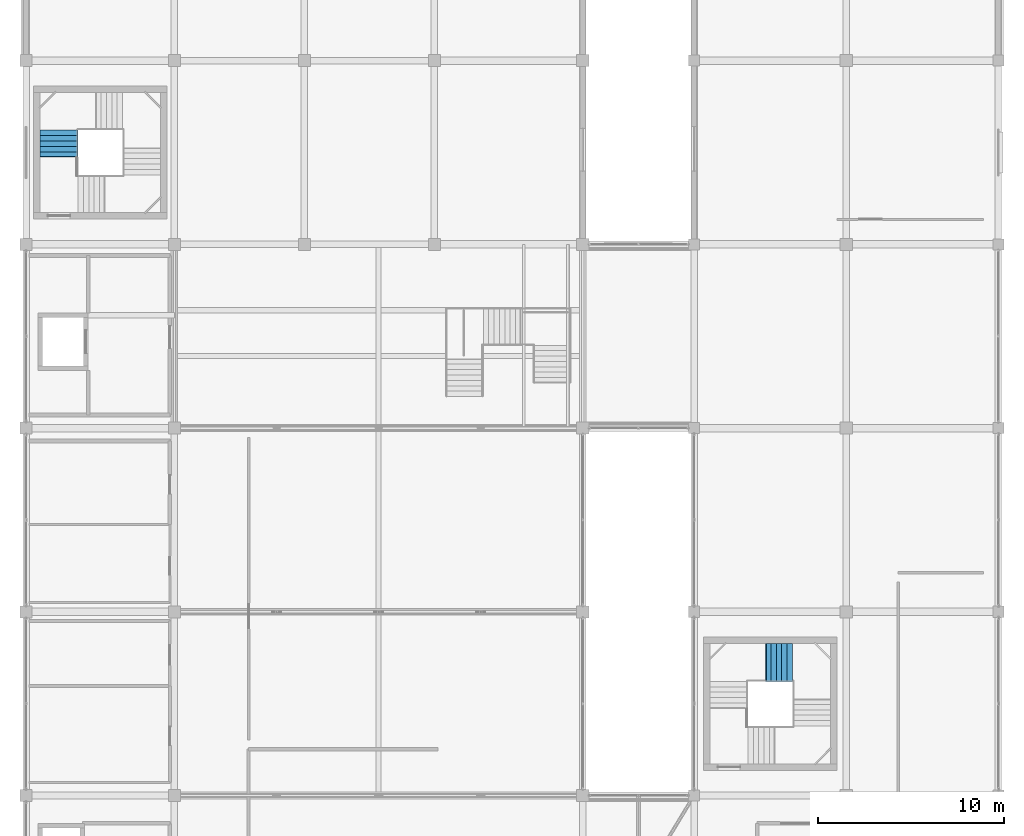
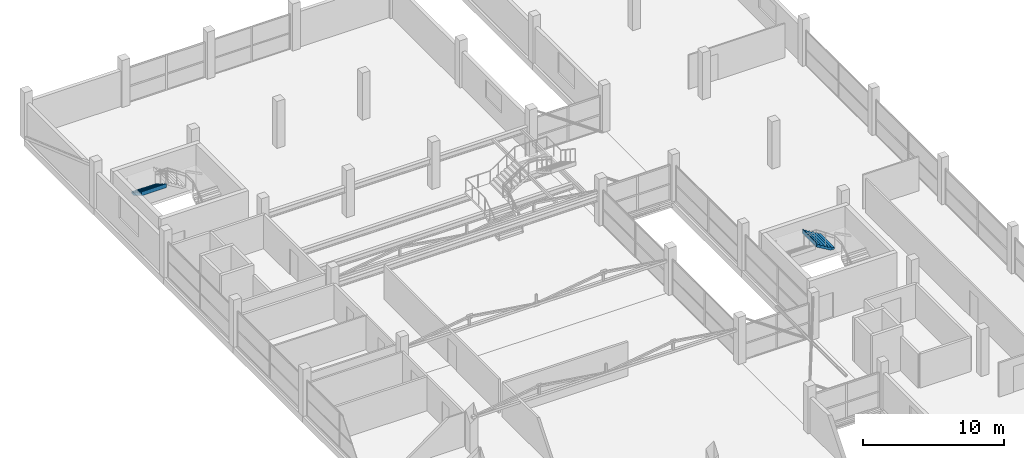
# One storey, part 67 of 70: 2 stair flights, 2 elements without a shape of their own.
"""IFC4 building model written with IfcOpenShell, lengths in metres."""

from ifc_helpers import new_model, si_unit, direction, frame, origin, place, context, subcontext, project, spatial, triangles, material, type_object, element, aggregate, save


model = new_model("IFC4")

# Units and contexts
model_context = context("Model", 3, precision=1e-05, world=origin(), true_north=direction((0.0, 1.0)))
body_context = subcontext(model_context, "Body", "Model", "MODEL_VIEW")
ifc_project = project(units=[si_unit("LENGTHUNIT", "METRE"), si_unit("AREAUNIT", "SQUARE_METRE"), si_unit("VOLUMEUNIT", "CUBIC_METRE"), si_unit("PLANEANGLEUNIT", "RADIAN"), si_unit("MASSUNIT", "GRAM", prefix="KILO")], contexts=[model_context])

# Site, building, storey
site_placement = place(None, origin())
site = spatial("IfcSite", under=ifc_project, at=site_placement, CompositionType="ELEMENT")
building_placement = place(site_placement, origin())
building = spatial("IfcBuilding", under=site, at=building_placement, Name="Sillaruma Civic Art Gallery", CompositionType="ELEMENT")
storey_placement = place(building_placement, frame((0.0, 0.0, 66.300048828125)))
storey = spatial("IfcBuildingStorey", under=building, at=storey_placement, Name="L13", CompositionType="ELEMENT", Elevation=66.300048828125)

# Stair, stair flight
ifc_material = material(Name="Concrete H35 (35 MPa)", Category="concrete")
stair_type = type_object("IfcStairType", Name="STR-4F-24", PredefinedType="USERDEFINED", material=ifc_material)
stair_1_placement = place(storey_placement, origin())
stair_1 = element("IfcStair", 1, at=stair_1_placement, inside=storey, type_object=stair_type, Name="Protected Exit Stair ST-02 (West Bar North) (L13)", ObjectType="THREE_RETURN_STAIR", PredefinedType="USERDEFINED")
stair_flight_type = type_object("IfcStairFlightType", Name="SFL-STR-6", PredefinedType="STRAIGHT", material=ifc_material)
stair_flight_1_placement = place(storey_placement, frame((63.780029296875, 85.35009765625, 3.06005859375), z_axis=(0.0, 0.0, 1.0), x_axis=(0.0, -1.0, 0.0)))
stair_flight_1 = element("IfcStairFlight", 2, at=stair_flight_1_placement, type_object=stair_flight_type, Name="ST-02 flight 4", NumberOfRisers=6, NumberOfTreads=5, PredefinedType="STRAIGHT", RiserHeight=0.17, TreadLength=0.29, context=body_context, shape_type="Tessellation", body=[
    triangles([(0.0, -1.02001953125, 0.0), (0.29, -1.02001953125, 0.0), (0.296365, -1.02001953125, 0.0), (0.58, -1.02001953125, 0.166269), (0.87, -1.02001953125, 0.336269), (1.16, -1.02001953125, 0.506269), (1.409951, -1.02001953125, 0.652792), (1.449951, -1.02001953125, 0.67624), (1.449951, -1.02001953125, 1.02), (1.409951, -1.02001953125, 1.02), (1.409951, -1.02001953125, 0.85), (1.16, -1.02001953125, 0.85), (1.16, -1.02001953125, 0.68), (0.87, -1.02001953125, 0.68), (0.87, -1.02001953125, 0.51), (0.58, -1.02001953125, 0.51), (0.58, -1.02001953125, 0.34), (0.296365, -1.02001953125, 0.34), (0.29, -1.02001953125, 0.34), (0.29, -1.02001953125, 0.17), (0.0, -1.02001953125, 0.17), (0.0, -0.05, 0.0), (0.29, -0.05, 0.0), (0.296365, -0.05, 0.0), (0.58, -0.05, 0.166269), (0.87, -0.05, 0.336269), (1.16, -0.05, 0.506269), (1.409951, -0.05, 0.652792), (1.449951, -0.05, 0.67624), (1.449951, -0.05, 1.02), (1.409951, -0.05, 1.02), (1.409951, -0.05, 0.85), (1.16, -0.05, 0.85), (1.16, -0.05, 0.68), (0.87, -0.05, 0.68), (0.87, -0.05, 0.51), (0.58, -0.05, 0.51), (0.58, -0.05, 0.34), (0.296365, -0.05, 0.34), (0.29, -0.05, 0.34), (0.29, -0.05, 0.17), (0.0, -0.05, 0.17), (0.0, -0.0375, 0.0), (0.29, -0.0375, 0.0), (0.296365, -0.0375, 0.0), (0.58, -0.0375, 0.166269), (0.87, -0.0375, 0.336269), (1.16, -0.0375, 0.506269), (1.409951, -0.0375, 0.652792), (1.449951, -0.0375, 0.67624), (1.449951, -0.0375, 1.02), (1.409951, -0.0375, 1.02), (1.409951, -0.0375, 0.85), (1.16, -0.0375, 0.85), (1.16, -0.0375, 0.68), (0.87, -0.0375, 0.68), (0.87, -0.0375, 0.51), (0.58, -0.0375, 0.51), (0.58, -0.0375, 0.34), (0.296365, -0.0375, 0.34), (0.29, -0.0375, 0.34), (0.29, -0.0375, 0.17), (0.0, -0.0375, 0.17), (0.0, -0.025, 0.0), (0.29, -0.025, 0.0), (0.296365, -0.025, 0.0), (0.58, -0.025, 0.166269), (0.87, -0.025, 0.336269), (1.16, -0.025, 0.506269), (1.409951, -0.025, 0.652792), (1.449951, -0.025, 0.67624), (1.449951, -0.025, 1.02), (1.409951, -0.025, 1.02), (1.409951, -0.025, 0.85), (1.16, -0.025, 0.85), (1.16, -0.025, 0.68), (0.87, -0.025, 0.68), (0.87, -0.025, 0.51), (0.58, -0.025, 0.51), (0.58, -0.025, 0.34), (0.296365, -0.025, 0.34), (0.29, -0.025, 0.34), (0.29, -0.025, 0.17), (0.0, -0.025, 0.17), (0.0, -0.0125, 0.0), (0.29, -0.0125, 0.0), (0.296365, -0.0125, 0.0), (0.58, -0.0125, 0.166269), (0.87, -0.0125, 0.336269), (1.16, -0.0125, 0.506269), (1.409951, -0.0125, 0.652792), (1.449951, -0.0125, 0.67624), (1.449951, -0.0125, 1.02), (1.409951, -0.0125, 1.02), (1.409951, -0.0125, 0.85), (1.16, -0.0125, 0.85), (1.16, -0.0125, 0.68), (0.87, -0.0125, 0.68), (0.87, -0.0125, 0.51), (0.58, -0.0125, 0.51), (0.58, -0.0125, 0.34), (0.296365, -0.0125, 0.34), (0.29, -0.0125, 0.34), (0.29, -0.0125, 0.17), (0.0, -0.0125, 0.17), (0.0, 0.0, 0.0), (0.29, 0.0, 0.0), (0.296365, 0.0, 0.0), (0.58, 0.0, 0.166269), (0.87, 0.0, 0.336269), (1.16, 0.0, 0.506269), (1.409951, 0.0, 0.652792), (1.449951, 0.0, 0.67624), (1.449951, 0.0, 1.02), (1.409951, 0.0, 1.02), (1.409951, 0.0, 0.85), (1.16, 0.0, 0.85), (1.16, 0.0, 0.68), (0.87, 0.0, 0.68), (0.87, 0.0, 0.51), (0.58, 0.0, 0.51), (0.58, 0.0, 0.34), (0.296365, 0.0, 0.34), (0.29, 0.0, 0.34), (0.29, 0.0, 0.17), (0.0, 0.0, 0.17), (0.0, 0.0125, 0.0), (0.29, 0.0125, 0.0), (0.296365, 0.0125, 0.0), (0.58, 0.0125, 0.166269), (0.87, 0.0125, 0.336269), (1.16, 0.0125, 0.506269), (1.409951, 0.0125, 0.652792), (1.449951, 0.0125, 0.67624), (1.449951, 0.0125, 1.02), (1.409951, 0.0125, 1.02), (1.409951, 0.0125, 0.85), (1.16, 0.0125, 0.85), (1.16, 0.0125, 0.68), (0.87, 0.0125, 0.68), (0.87, 0.0125, 0.51), (0.58, 0.0125, 0.51), (0.58, 0.0125, 0.34), (0.296365, 0.0125, 0.34), (0.29, 0.0125, 0.34), (0.29, 0.0125, 0.17), (0.0, 0.0125, 0.17), (0.0, 0.025, 0.0), (0.29, 0.025, 0.0), (0.296365, 0.025, 0.0), (0.58, 0.025, 0.166269), (0.87, 0.025, 0.336269), (1.16, 0.025, 0.506269), (1.409951, 0.025, 0.652792), (1.449951, 0.025, 0.67624), (1.449951, 0.025, 1.02), (1.409951, 0.025, 1.02), (1.409951, 0.025, 0.85), (1.16, 0.025, 0.85), (1.16, 0.025, 0.68), (0.87, 0.025, 0.68), (0.87, 0.025, 0.51), (0.58, 0.025, 0.51), (0.58, 0.025, 0.34), (0.296365, 0.025, 0.34), (0.29, 0.025, 0.34), (0.29, 0.025, 0.17), (0.0, 0.025, 0.17), (0.0, 0.0375, 0.0), (0.29, 0.0375, 0.0), (0.296365, 0.0375, 0.0), (0.58, 0.0375, 0.166269), (0.87, 0.0375, 0.336269), (1.16, 0.0375, 0.506269), (1.409951, 0.0375, 0.652792), (1.449951, 0.0375, 0.67624), (1.449951, 0.0375, 1.02), (1.409951, 0.0375, 1.02), (1.409951, 0.0375, 0.85), (1.16, 0.0375, 0.85), (1.16, 0.0375, 0.68), (0.87, 0.0375, 0.68), (0.87, 0.0375, 0.51), (0.58, 0.0375, 0.51), (0.58, 0.0375, 0.34), (0.296365, 0.0375, 0.34), (0.29, 0.0375, 0.34), (0.29, 0.0375, 0.17), (0.0, 0.0375, 0.17), (0.0, 0.05, 0.0), (0.29, 0.05, 0.0), (0.296365, 0.05, 0.0), (0.58, 0.05, 0.166269), (0.87, 0.05, 0.336269), (1.16, 0.05, 0.506269), (1.409951, 0.05, 0.652792), (1.449951, 0.05, 0.67624), (1.449951, 0.05, 1.02), (1.409951, 0.05, 1.02), (1.409951, 0.05, 0.85), (1.16, 0.05, 0.85), (1.16, 0.05, 0.68), (0.87, 0.05, 0.68), (0.87, 0.05, 0.51), (0.58, 0.05, 0.51), (0.58, 0.05, 0.34), (0.296365, 0.05, 0.34), (0.29, 0.05, 0.34), (0.29, 0.05, 0.17), (0.0, 0.05, 0.17), (0.0, 1.02001953125, 0.0), (0.29, 1.02001953125, 0.0), (0.296365, 1.02001953125, 0.0), (0.58, 1.02001953125, 0.166269), (0.87, 1.02001953125, 0.336269), (1.16, 1.02001953125, 0.506269), (1.409951, 1.02001953125, 0.652792), (1.449951, 1.02001953125, 0.67624), (1.449951, 1.02001953125, 1.02), (1.409951, 1.02001953125, 1.02), (1.409951, 1.02001953125, 0.85), (1.16, 1.02001953125, 0.85), (1.16, 1.02001953125, 0.68), (0.87, 1.02001953125, 0.68), (0.87, 1.02001953125, 0.51), (0.58, 1.02001953125, 0.51), (0.58, 1.02001953125, 0.34), (0.296365, 1.02001953125, 0.34), (0.29, 1.02001953125, 0.34), (0.29, 1.02001953125, 0.17), (0.0, 1.02001953125, 0.17)], [[1, 2, 20], [1, 20, 21], [2, 3, 18], [2, 18, 20], [20, 18, 19], [3, 4, 17], [3, 17, 18], [4, 5, 15], [4, 15, 17], [17, 15, 16], [5, 6, 13], [5, 13, 15], [15, 13, 14], [6, 7, 11], [6, 11, 13], [13, 11, 12], [7, 8, 9], [7, 9, 11], [11, 9, 10], [230, 212, 211], [231, 230, 211], [228, 213, 212], [230, 228, 212], [229, 228, 230], [227, 214, 213], [228, 227, 213], [225, 215, 214], [227, 225, 214], [226, 225, 227], [223, 216, 215], [225, 223, 215], [224, 223, 225], [221, 217, 216], [223, 221, 216], [222, 221, 223], [219, 218, 217], [221, 219, 217], [220, 219, 221], [2, 1, 22], [2, 22, 23], [3, 2, 23], [3, 23, 24], [4, 3, 24], [4, 24, 25], [5, 4, 25], [5, 25, 26], [6, 5, 26], [6, 26, 27], [7, 6, 27], [7, 27, 28], [8, 7, 28], [8, 28, 29], [9, 8, 29], [9, 29, 30], [10, 9, 30], [10, 30, 31], [11, 10, 31], [11, 31, 32], [12, 11, 32], [12, 32, 33], [13, 12, 33], [13, 33, 34], [14, 13, 34], [14, 34, 35], [15, 14, 35], [15, 35, 36], [16, 15, 36], [16, 36, 37], [17, 16, 37], [17, 37, 38], [18, 17, 38], [18, 38, 39], [19, 18, 39], [19, 39, 40], [20, 19, 40], [20, 40, 41], [21, 20, 41], [21, 41, 42], [1, 21, 42], [1, 42, 22], [23, 22, 43], [23, 43, 44], [24, 23, 44], [24, 44, 45], [25, 24, 45], [25, 45, 46], [26, 25, 46], [26, 46, 47], [27, 26, 47], [27, 47, 48], [28, 27, 48], [28, 48, 49], [29, 28, 49], [29, 49, 50], [30, 29, 50], [30, 50, 51], [31, 30, 51], [31, 51, 52], [32, 31, 52], [32, 52, 53], [33, 32, 53], [33, 53, 54], [34, 33, 54], [34, 54, 55], [35, 34, 55], [35, 55, 56], [36, 35, 56], [36, 56, 57], [37, 36, 57], [37, 57, 58], [38, 37, 58], [38, 58, 59], [39, 38, 59], [39, 59, 60], [40, 39, 60], [40, 60, 61], [41, 40, 61], [41, 61, 62], [42, 41, 62], [42, 62, 63], [22, 42, 63], [22, 63, 43], [44, 43, 64], [44, 64, 65], [45, 44, 65], [45, 65, 66], [46, 45, 66], [46, 66, 67], [47, 46, 67], [47, 67, 68], [48, 47, 68], [48, 68, 69], [49, 48, 69], [49, 69, 70], [50, 49, 70], [50, 70, 71], [51, 50, 71], [51, 71, 72], [52, 51, 72], [52, 72, 73], [53, 52, 73], [53, 73, 74], [54, 53, 74], [54, 74, 75], [55, 54, 75], [55, 75, 76], [56, 55, 76], [56, 76, 77], [57, 56, 77], [57, 77, 78], [58, 57, 78], [58, 78, 79], [59, 58, 79], [59, 79, 80], [60, 59, 80], [60, 80, 81], [61, 60, 81], [61, 81, 82], [62, 61, 82], [62, 82, 83], [63, 62, 83], [63, 83, 84], [43, 63, 84], [43, 84, 64], [65, 64, 85], [65, 85, 86], [66, 65, 86], [66, 86, 87], [67, 66, 87], [67, 87, 88], [68, 67, 88], [68, 88, 89], [69, 68, 89], [69, 89, 90], [70, 69, 90], [70, 90, 91], [71, 70, 91], [71, 91, 92], [72, 71, 92], [72, 92, 93], [73, 72, 93], [73, 93, 94], [74, 73, 94], [74, 94, 95], [75, 74, 95], [75, 95, 96], [76, 75, 96], [76, 96, 97], [77, 76, 97], [77, 97, 98], [78, 77, 98], [78, 98, 99], [79, 78, 99], [79, 99, 100], [80, 79, 100], [80, 100, 101], [81, 80, 101], [81, 101, 102], [82, 81, 102], [82, 102, 103], [83, 82, 103], [83, 103, 104], [84, 83, 104], [84, 104, 105], [64, 84, 105], [64, 105, 85], [86, 85, 106], [86, 106, 107], [87, 86, 107], [87, 107, 108], [88, 87, 108], [88, 108, 109], [89, 88, 109], [89, 109, 110], [90, 89, 110], [90, 110, 111], [91, 90, 111], [91, 111, 112], [92, 91, 112], [92, 112, 113], [93, 92, 113], [93, 113, 114], [94, 93, 114], [94, 114, 115], [95, 94, 115], [95, 115, 116], [96, 95, 116], [96, 116, 117], [97, 96, 117], [97, 117, 118], [98, 97, 118], [98, 118, 119], [99, 98, 119], [99, 119, 120], [100, 99, 120], [100, 120, 121], [101, 100, 121], [101, 121, 122], [102, 101, 122], [102, 122, 123], [103, 102, 123], [103, 123, 124], [104, 103, 124], [104, 124, 125], [105, 104, 125], [105, 125, 126], [85, 105, 126], [85, 126, 106], [107, 106, 127], [107, 127, 128], [108, 107, 128], [108, 128, 129], [109, 108, 129], [109, 129, 130], [110, 109, 130], [110, 130, 131], [111, 110, 131], [111, 131, 132], [112, 111, 132], [112, 132, 133], [113, 112, 133], [113, 133, 134], [114, 113, 134], [114, 134, 135], [115, 114, 135], [115, 135, 136], [116, 115, 136], [116, 136, 137], [117, 116, 137], [117, 137, 138], [118, 117, 138], [118, 138, 139], [119, 118, 139], [119, 139, 140], [120, 119, 140], [120, 140, 141], [121, 120, 141], [121, 141, 142], [122, 121, 142], [122, 142, 143], [123, 122, 143], [123, 143, 144], [124, 123, 144], [124, 144, 145], [125, 124, 145], [125, 145, 146], [126, 125, 146], [126, 146, 147], [106, 126, 147], [106, 147, 127], [128, 127, 148], [128, 148, 149], [129, 128, 149], [129, 149, 150], [130, 129, 150], [130, 150, 151], [131, 130, 151], [131, 151, 152], [132, 131, 152], [132, 152, 153], [133, 132, 153], [133, 153, 154], [134, 133, 154], [134, 154, 155], [135, 134, 155], [135, 155, 156], [136, 135, 156], [136, 156, 157], [137, 136, 157], [137, 157, 158], [138, 137, 158], [138, 158, 159], [139, 138, 159], [139, 159, 160], [140, 139, 160], [140, 160, 161], [141, 140, 161], [141, 161, 162], [142, 141, 162], [142, 162, 163], [143, 142, 163], [143, 163, 164], [144, 143, 164], [144, 164, 165], [145, 144, 165], [145, 165, 166], [146, 145, 166], [146, 166, 167], [147, 146, 167], [147, 167, 168], [127, 147, 168], [127, 168, 148], [149, 148, 169], [149, 169, 170], [150, 149, 170], [150, 170, 171], [151, 150, 171], [151, 171, 172], [152, 151, 172], [152, 172, 173], [153, 152, 173], [153, 173, 174], [154, 153, 174], [154, 174, 175], [155, 154, 175], [155, 175, 176], [156, 155, 176], [156, 176, 177], [157, 156, 177], [157, 177, 178], [158, 157, 178], [158, 178, 179], [159, 158, 179], [159, 179, 180], [160, 159, 180], [160, 180, 181], [161, 160, 181], [161, 181, 182], [162, 161, 182], [162, 182, 183], [163, 162, 183], [163, 183, 184], [164, 163, 184], [164, 184, 185], [165, 164, 185], [165, 185, 186], [166, 165, 186], [166, 186, 187], [167, 166, 187], [167, 187, 188], [168, 167, 188], [168, 188, 189], [148, 168, 189], [148, 189, 169], [170, 169, 190], [170, 190, 191], [171, 170, 191], [171, 191, 192], [172, 171, 192], [172, 192, 193], [173, 172, 193], [173, 193, 194], [174, 173, 194], [174, 194, 195], [175, 174, 195], [175, 195, 196], [176, 175, 196], [176, 196, 197], [177, 176, 197], [177, 197, 198], [178, 177, 198], [178, 198, 199], [179, 178, 199], [179, 199, 200], [180, 179, 200], [180, 200, 201], [181, 180, 201], [181, 201, 202], [182, 181, 202], [182, 202, 203], [183, 182, 203], [183, 203, 204], [184, 183, 204], [184, 204, 205], [185, 184, 205], [185, 205, 206], [186, 185, 206], [186, 206, 207], [187, 186, 207], [187, 207, 208], [188, 187, 208], [188, 208, 209], [189, 188, 209], [189, 209, 210], [169, 189, 210], [169, 210, 190], [191, 190, 211], [191, 211, 212], [192, 191, 212], [192, 212, 213], [193, 192, 213], [193, 213, 214], [194, 193, 214], [194, 214, 215], [195, 194, 215], [195, 215, 216], [196, 195, 216], [196, 216, 217], [197, 196, 217], [197, 217, 218], [198, 197, 218], [198, 218, 219], [199, 198, 219], [199, 219, 220], [200, 199, 220], [200, 220, 221], [201, 200, 221], [201, 221, 222], [202, 201, 222], [202, 222, 223], [203, 202, 223], [203, 223, 224], [204, 203, 224], [204, 224, 225], [205, 204, 225], [205, 225, 226], [206, 205, 226], [206, 226, 227], [207, 206, 227], [207, 227, 228], [208, 207, 228], [208, 228, 229], [209, 208, 229], [209, 229, 230], [210, 209, 230], [210, 230, 231], [190, 210, 231], [190, 231, 211]], closed=True),
])
aggregate(stair_1, [stair_flight_1])

stair_2_placement = place(storey_placement, origin())
stair_2 = element("IfcStair", 3, at=stair_2_placement, inside=storey, type_object=stair_type, Name="Protected Exit Stair ST-04 (East Bar) (L13)", ObjectType="THREE_RETURN_STAIR", PredefinedType="USERDEFINED")
stair_flight_2_placement = place(storey_placement, frame((103.300048828125, 56.669921875, 2.0400390625), z_axis=(0.0, 0.0, 1.0), x_axis=(-1.0, 0.0, 0.0)))
stair_flight_2 = element("IfcStairFlight", 4, at=stair_flight_2_placement, type_object=stair_flight_type, Name="ST-04 flight 3", NumberOfRisers=6, NumberOfTreads=5, PredefinedType="STRAIGHT", RiserHeight=0.17, TreadLength=0.29, context=body_context, shape_type="Tessellation", body=[
    triangles([(0.0, -1.02001953125, 0.0), (0.29, -1.02001953125, 0.0), (0.296365, -1.02001953125, 0.0), (0.58, -1.02001953125, 0.166269), (0.87, -1.02001953125, 0.336269), (1.16, -1.02001953125, 0.506269), (1.409951, -1.02001953125, 0.652792), (1.449951, -1.02001953125, 0.67624), (1.449951, -1.02001953125, 1.02), (1.409951, -1.02001953125, 1.02), (1.409951, -1.02001953125, 0.85), (1.16, -1.02001953125, 0.85), (1.16, -1.02001953125, 0.68), (0.87, -1.02001953125, 0.68), (0.87, -1.02001953125, 0.51), (0.58, -1.02001953125, 0.51), (0.58, -1.02001953125, 0.34), (0.296365, -1.02001953125, 0.34), (0.29, -1.02001953125, 0.34), (0.29, -1.02001953125, 0.17), (0.0, -1.02001953125, 0.17), (0.0, -0.05, 0.0), (0.29, -0.05, 0.0), (0.296365, -0.05, 0.0), (0.58, -0.05, 0.166269), (0.87, -0.05, 0.336269), (1.16, -0.05, 0.506269), (1.409951, -0.05, 0.652792), (1.449951, -0.05, 0.67624), (1.449951, -0.05, 1.02), (1.409951, -0.05, 1.02), (1.409951, -0.05, 0.85), (1.16, -0.05, 0.85), (1.16, -0.05, 0.68), (0.87, -0.05, 0.68), (0.87, -0.05, 0.51), (0.58, -0.05, 0.51), (0.58, -0.05, 0.34), (0.296365, -0.05, 0.34), (0.29, -0.05, 0.34), (0.29, -0.05, 0.17), (0.0, -0.05, 0.17), (0.0, -0.0375, 0.0), (0.29, -0.0375, 0.0), (0.296365, -0.0375, 0.0), (0.58, -0.0375, 0.166269), (0.87, -0.0375, 0.336269), (1.16, -0.0375, 0.506269), (1.409951, -0.0375, 0.652792), (1.449951, -0.0375, 0.67624), (1.449951, -0.0375, 1.02), (1.409951, -0.0375, 1.02), (1.409951, -0.0375, 0.85), (1.16, -0.0375, 0.85), (1.16, -0.0375, 0.68), (0.87, -0.0375, 0.68), (0.87, -0.0375, 0.51), (0.58, -0.0375, 0.51), (0.58, -0.0375, 0.34), (0.296365, -0.0375, 0.34), (0.29, -0.0375, 0.34), (0.29, -0.0375, 0.17), (0.0, -0.0375, 0.17), (0.0, -0.025, 0.0), (0.29, -0.025, 0.0), (0.296365, -0.025, 0.0), (0.58, -0.025, 0.166269), (0.87, -0.025, 0.336269), (1.16, -0.025, 0.506269), (1.409951, -0.025, 0.652792), (1.449951, -0.025, 0.67624), (1.449951, -0.025, 1.02), (1.409951, -0.025, 1.02), (1.409951, -0.025, 0.85), (1.16, -0.025, 0.85), (1.16, -0.025, 0.68), (0.87, -0.025, 0.68), (0.87, -0.025, 0.51), (0.58, -0.025, 0.51), (0.58, -0.025, 0.34), (0.296365, -0.025, 0.34), (0.29, -0.025, 0.34), (0.29, -0.025, 0.17), (0.0, -0.025, 0.17), (0.0, -0.0125, 0.0), (0.29, -0.0125, 0.0), (0.296365, -0.0125, 0.0), (0.58, -0.0125, 0.166269), (0.87, -0.0125, 0.336269), (1.16, -0.0125, 0.506269), (1.409951, -0.0125, 0.652792), (1.449951, -0.0125, 0.67624), (1.449951, -0.0125, 1.02), (1.409951, -0.0125, 1.02), (1.409951, -0.0125, 0.85), (1.16, -0.0125, 0.85), (1.16, -0.0125, 0.68), (0.87, -0.0125, 0.68), (0.87, -0.0125, 0.51), (0.58, -0.0125, 0.51), (0.58, -0.0125, 0.34), (0.296365, -0.0125, 0.34), (0.29, -0.0125, 0.34), (0.29, -0.0125, 0.17), (0.0, -0.0125, 0.17), (0.0, 0.0, 0.0), (0.29, 0.0, 0.0), (0.296365, 0.0, 0.0), (0.58, 0.0, 0.166269), (0.87, 0.0, 0.336269), (1.16, 0.0, 0.506269), (1.409951, 0.0, 0.652792), (1.449951, 0.0, 0.67624), (1.449951, 0.0, 1.02), (1.409951, 0.0, 1.02), (1.409951, 0.0, 0.85), (1.16, 0.0, 0.85), (1.16, 0.0, 0.68), (0.87, 0.0, 0.68), (0.87, 0.0, 0.51), (0.58, 0.0, 0.51), (0.58, 0.0, 0.34), (0.296365, 0.0, 0.34), (0.29, 0.0, 0.34), (0.29, 0.0, 0.17), (0.0, 0.0, 0.17), (0.0, 0.0125, 0.0), (0.29, 0.0125, 0.0), (0.296365, 0.0125, 0.0), (0.58, 0.0125, 0.166269), (0.87, 0.0125, 0.336269), (1.16, 0.0125, 0.506269), (1.409951, 0.0125, 0.652792), (1.449951, 0.0125, 0.67624), (1.449951, 0.0125, 1.02), (1.409951, 0.0125, 1.02), (1.409951, 0.0125, 0.85), (1.16, 0.0125, 0.85), (1.16, 0.0125, 0.68), (0.87, 0.0125, 0.68), (0.87, 0.0125, 0.51), (0.58, 0.0125, 0.51), (0.58, 0.0125, 0.34), (0.296365, 0.0125, 0.34), (0.29, 0.0125, 0.34), (0.29, 0.0125, 0.17), (0.0, 0.0125, 0.17), (0.0, 0.025, 0.0), (0.29, 0.025, 0.0), (0.296365, 0.025, 0.0), (0.58, 0.025, 0.166269), (0.87, 0.025, 0.336269), (1.16, 0.025, 0.506269), (1.409951, 0.025, 0.652792), (1.449951, 0.025, 0.67624), (1.449951, 0.025, 1.02), (1.409951, 0.025, 1.02), (1.409951, 0.025, 0.85), (1.16, 0.025, 0.85), (1.16, 0.025, 0.68), (0.87, 0.025, 0.68), (0.87, 0.025, 0.51), (0.58, 0.025, 0.51), (0.58, 0.025, 0.34), (0.296365, 0.025, 0.34), (0.29, 0.025, 0.34), (0.29, 0.025, 0.17), (0.0, 0.025, 0.17), (0.0, 0.0375, 0.0), (0.29, 0.0375, 0.0), (0.296365, 0.0375, 0.0), (0.58, 0.0375, 0.166269), (0.87, 0.0375, 0.336269), (1.16, 0.0375, 0.506269), (1.409951, 0.0375, 0.652792), (1.449951, 0.0375, 0.67624), (1.449951, 0.0375, 1.02), (1.409951, 0.0375, 1.02), (1.409951, 0.0375, 0.85), (1.16, 0.0375, 0.85), (1.16, 0.0375, 0.68), (0.87, 0.0375, 0.68), (0.87, 0.0375, 0.51), (0.58, 0.0375, 0.51), (0.58, 0.0375, 0.34), (0.296365, 0.0375, 0.34), (0.29, 0.0375, 0.34), (0.29, 0.0375, 0.17), (0.0, 0.0375, 0.17), (0.0, 0.05, 0.0), (0.29, 0.05, 0.0), (0.296365, 0.05, 0.0), (0.58, 0.05, 0.166269), (0.87, 0.05, 0.336269), (1.16, 0.05, 0.506269), (1.409951, 0.05, 0.652792), (1.449951, 0.05, 0.67624), (1.449951, 0.05, 1.02), (1.409951, 0.05, 1.02), (1.409951, 0.05, 0.85), (1.16, 0.05, 0.85), (1.16, 0.05, 0.68), (0.87, 0.05, 0.68), (0.87, 0.05, 0.51), (0.58, 0.05, 0.51), (0.58, 0.05, 0.34), (0.296365, 0.05, 0.34), (0.29, 0.05, 0.34), (0.29, 0.05, 0.17), (0.0, 0.05, 0.17), (0.0, 1.02001953125, 0.0), (0.29, 1.02001953125, 0.0), (0.296365, 1.02001953125, 0.0), (0.58, 1.02001953125, 0.166269), (0.87, 1.02001953125, 0.336269), (1.16, 1.02001953125, 0.506269), (1.409951, 1.02001953125, 0.652792), (1.449951, 1.02001953125, 0.67624), (1.449951, 1.02001953125, 1.02), (1.409951, 1.02001953125, 1.02), (1.409951, 1.02001953125, 0.85), (1.16, 1.02001953125, 0.85), (1.16, 1.02001953125, 0.68), (0.87, 1.02001953125, 0.68), (0.87, 1.02001953125, 0.51), (0.58, 1.02001953125, 0.51), (0.58, 1.02001953125, 0.34), (0.296365, 1.02001953125, 0.34), (0.29, 1.02001953125, 0.34), (0.29, 1.02001953125, 0.17), (0.0, 1.02001953125, 0.17)], [[1, 2, 20], [1, 20, 21], [2, 3, 18], [2, 18, 20], [20, 18, 19], [3, 4, 17], [3, 17, 18], [4, 5, 15], [4, 15, 17], [17, 15, 16], [5, 6, 13], [5, 13, 15], [15, 13, 14], [6, 7, 11], [6, 11, 13], [13, 11, 12], [7, 8, 9], [7, 9, 11], [11, 9, 10], [230, 212, 211], [231, 230, 211], [228, 213, 212], [230, 228, 212], [229, 228, 230], [227, 214, 213], [228, 227, 213], [225, 215, 214], [227, 225, 214], [226, 225, 227], [223, 216, 215], [225, 223, 215], [224, 223, 225], [221, 217, 216], [223, 221, 216], [222, 221, 223], [219, 218, 217], [221, 219, 217], [220, 219, 221], [2, 1, 22], [2, 22, 23], [3, 2, 23], [3, 23, 24], [4, 3, 24], [4, 24, 25], [5, 4, 25], [5, 25, 26], [6, 5, 26], [6, 26, 27], [7, 6, 27], [7, 27, 28], [8, 7, 28], [8, 28, 29], [9, 8, 29], [9, 29, 30], [10, 9, 30], [10, 30, 31], [11, 10, 31], [11, 31, 32], [12, 11, 32], [12, 32, 33], [13, 12, 33], [13, 33, 34], [14, 13, 34], [14, 34, 35], [15, 14, 35], [15, 35, 36], [16, 15, 36], [16, 36, 37], [17, 16, 37], [17, 37, 38], [18, 17, 38], [18, 38, 39], [19, 18, 39], [19, 39, 40], [20, 19, 40], [20, 40, 41], [21, 20, 41], [21, 41, 42], [1, 21, 42], [1, 42, 22], [23, 22, 43], [23, 43, 44], [24, 23, 44], [24, 44, 45], [25, 24, 45], [25, 45, 46], [26, 25, 46], [26, 46, 47], [27, 26, 47], [27, 47, 48], [28, 27, 48], [28, 48, 49], [29, 28, 49], [29, 49, 50], [30, 29, 50], [30, 50, 51], [31, 30, 51], [31, 51, 52], [32, 31, 52], [32, 52, 53], [33, 32, 53], [33, 53, 54], [34, 33, 54], [34, 54, 55], [35, 34, 55], [35, 55, 56], [36, 35, 56], [36, 56, 57], [37, 36, 57], [37, 57, 58], [38, 37, 58], [38, 58, 59], [39, 38, 59], [39, 59, 60], [40, 39, 60], [40, 60, 61], [41, 40, 61], [41, 61, 62], [42, 41, 62], [42, 62, 63], [22, 42, 63], [22, 63, 43], [44, 43, 64], [44, 64, 65], [45, 44, 65], [45, 65, 66], [46, 45, 66], [46, 66, 67], [47, 46, 67], [47, 67, 68], [48, 47, 68], [48, 68, 69], [49, 48, 69], [49, 69, 70], [50, 49, 70], [50, 70, 71], [51, 50, 71], [51, 71, 72], [52, 51, 72], [52, 72, 73], [53, 52, 73], [53, 73, 74], [54, 53, 74], [54, 74, 75], [55, 54, 75], [55, 75, 76], [56, 55, 76], [56, 76, 77], [57, 56, 77], [57, 77, 78], [58, 57, 78], [58, 78, 79], [59, 58, 79], [59, 79, 80], [60, 59, 80], [60, 80, 81], [61, 60, 81], [61, 81, 82], [62, 61, 82], [62, 82, 83], [63, 62, 83], [63, 83, 84], [43, 63, 84], [43, 84, 64], [65, 64, 85], [65, 85, 86], [66, 65, 86], [66, 86, 87], [67, 66, 87], [67, 87, 88], [68, 67, 88], [68, 88, 89], [69, 68, 89], [69, 89, 90], [70, 69, 90], [70, 90, 91], [71, 70, 91], [71, 91, 92], [72, 71, 92], [72, 92, 93], [73, 72, 93], [73, 93, 94], [74, 73, 94], [74, 94, 95], [75, 74, 95], [75, 95, 96], [76, 75, 96], [76, 96, 97], [77, 76, 97], [77, 97, 98], [78, 77, 98], [78, 98, 99], [79, 78, 99], [79, 99, 100], [80, 79, 100], [80, 100, 101], [81, 80, 101], [81, 101, 102], [82, 81, 102], [82, 102, 103], [83, 82, 103], [83, 103, 104], [84, 83, 104], [84, 104, 105], [64, 84, 105], [64, 105, 85], [86, 85, 106], [86, 106, 107], [87, 86, 107], [87, 107, 108], [88, 87, 108], [88, 108, 109], [89, 88, 109], [89, 109, 110], [90, 89, 110], [90, 110, 111], [91, 90, 111], [91, 111, 112], [92, 91, 112], [92, 112, 113], [93, 92, 113], [93, 113, 114], [94, 93, 114], [94, 114, 115], [95, 94, 115], [95, 115, 116], [96, 95, 116], [96, 116, 117], [97, 96, 117], [97, 117, 118], [98, 97, 118], [98, 118, 119], [99, 98, 119], [99, 119, 120], [100, 99, 120], [100, 120, 121], [101, 100, 121], [101, 121, 122], [102, 101, 122], [102, 122, 123], [103, 102, 123], [103, 123, 124], [104, 103, 124], [104, 124, 125], [105, 104, 125], [105, 125, 126], [85, 105, 126], [85, 126, 106], [107, 106, 127], [107, 127, 128], [108, 107, 128], [108, 128, 129], [109, 108, 129], [109, 129, 130], [110, 109, 130], [110, 130, 131], [111, 110, 131], [111, 131, 132], [112, 111, 132], [112, 132, 133], [113, 112, 133], [113, 133, 134], [114, 113, 134], [114, 134, 135], [115, 114, 135], [115, 135, 136], [116, 115, 136], [116, 136, 137], [117, 116, 137], [117, 137, 138], [118, 117, 138], [118, 138, 139], [119, 118, 139], [119, 139, 140], [120, 119, 140], [120, 140, 141], [121, 120, 141], [121, 141, 142], [122, 121, 142], [122, 142, 143], [123, 122, 143], [123, 143, 144], [124, 123, 144], [124, 144, 145], [125, 124, 145], [125, 145, 146], [126, 125, 146], [126, 146, 147], [106, 126, 147], [106, 147, 127], [128, 127, 148], [128, 148, 149], [129, 128, 149], [129, 149, 150], [130, 129, 150], [130, 150, 151], [131, 130, 151], [131, 151, 152], [132, 131, 152], [132, 152, 153], [133, 132, 153], [133, 153, 154], [134, 133, 154], [134, 154, 155], [135, 134, 155], [135, 155, 156], [136, 135, 156], [136, 156, 157], [137, 136, 157], [137, 157, 158], [138, 137, 158], [138, 158, 159], [139, 138, 159], [139, 159, 160], [140, 139, 160], [140, 160, 161], [141, 140, 161], [141, 161, 162], [142, 141, 162], [142, 162, 163], [143, 142, 163], [143, 163, 164], [144, 143, 164], [144, 164, 165], [145, 144, 165], [145, 165, 166], [146, 145, 166], [146, 166, 167], [147, 146, 167], [147, 167, 168], [127, 147, 168], [127, 168, 148], [149, 148, 169], [149, 169, 170], [150, 149, 170], [150, 170, 171], [151, 150, 171], [151, 171, 172], [152, 151, 172], [152, 172, 173], [153, 152, 173], [153, 173, 174], [154, 153, 174], [154, 174, 175], [155, 154, 175], [155, 175, 176], [156, 155, 176], [156, 176, 177], [157, 156, 177], [157, 177, 178], [158, 157, 178], [158, 178, 179], [159, 158, 179], [159, 179, 180], [160, 159, 180], [160, 180, 181], [161, 160, 181], [161, 181, 182], [162, 161, 182], [162, 182, 183], [163, 162, 183], [163, 183, 184], [164, 163, 184], [164, 184, 185], [165, 164, 185], [165, 185, 186], [166, 165, 186], [166, 186, 187], [167, 166, 187], [167, 187, 188], [168, 167, 188], [168, 188, 189], [148, 168, 189], [148, 189, 169], [170, 169, 190], [170, 190, 191], [171, 170, 191], [171, 191, 192], [172, 171, 192], [172, 192, 193], [173, 172, 193], [173, 193, 194], [174, 173, 194], [174, 194, 195], [175, 174, 195], [175, 195, 196], [176, 175, 196], [176, 196, 197], [177, 176, 197], [177, 197, 198], [178, 177, 198], [178, 198, 199], [179, 178, 199], [179, 199, 200], [180, 179, 200], [180, 200, 201], [181, 180, 201], [181, 201, 202], [182, 181, 202], [182, 202, 203], [183, 182, 203], [183, 203, 204], [184, 183, 204], [184, 204, 205], [185, 184, 205], [185, 205, 206], [186, 185, 206], [186, 206, 207], [187, 186, 207], [187, 207, 208], [188, 187, 208], [188, 208, 209], [189, 188, 209], [189, 209, 210], [169, 189, 210], [169, 210, 190], [191, 190, 211], [191, 211, 212], [192, 191, 212], [192, 212, 213], [193, 192, 213], [193, 213, 214], [194, 193, 214], [194, 214, 215], [195, 194, 215], [195, 215, 216], [196, 195, 216], [196, 216, 217], [197, 196, 217], [197, 217, 218], [198, 197, 218], [198, 218, 219], [199, 198, 219], [199, 219, 220], [200, 199, 220], [200, 220, 221], [201, 200, 221], [201, 221, 222], [202, 201, 222], [202, 222, 223], [203, 202, 223], [203, 223, 224], [204, 203, 224], [204, 224, 225], [205, 204, 225], [205, 225, 226], [206, 205, 226], [206, 226, 227], [207, 206, 227], [207, 227, 228], [208, 207, 228], [208, 228, 229], [209, 208, 229], [209, 229, 230], [210, 209, 230], [210, 230, 231], [190, 210, 231], [190, 231, 211]], closed=True),
])
aggregate(stair_2, [stair_flight_2])

save(model, "model.ifc")
